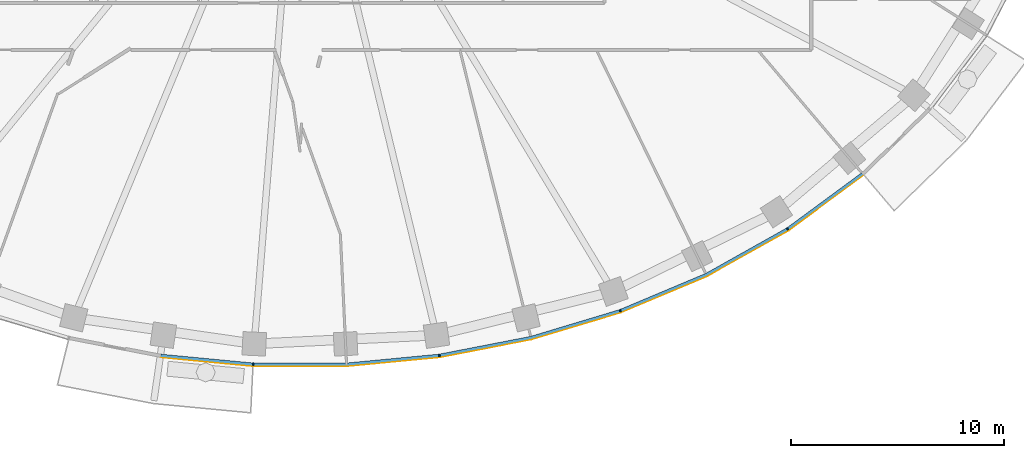
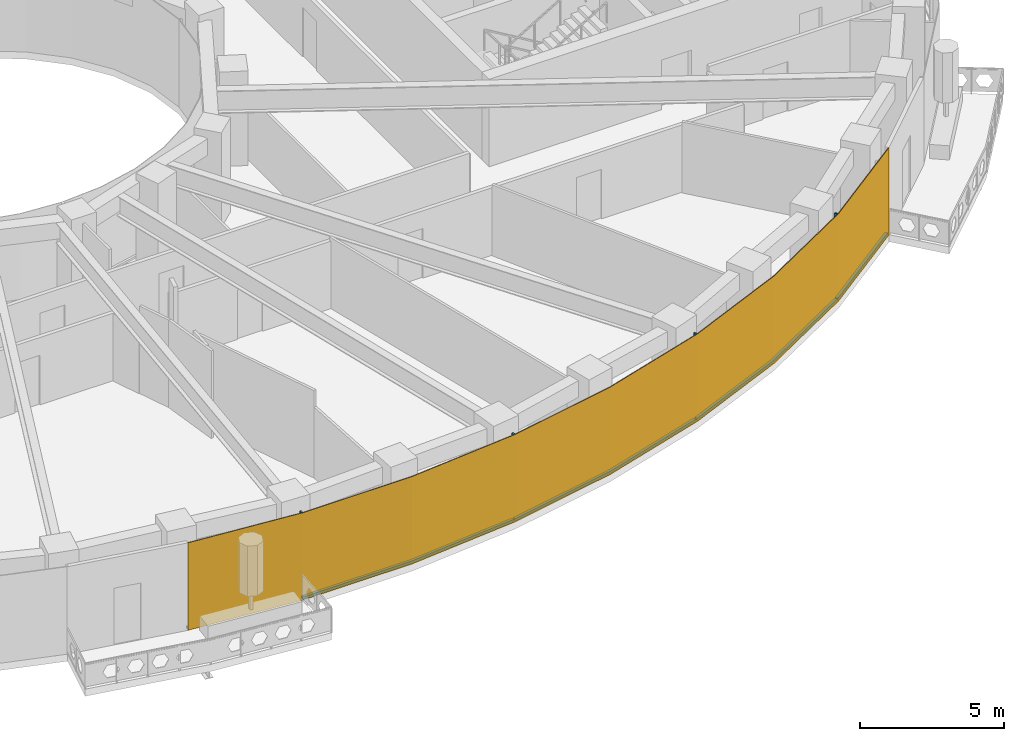
# One storey, part 9 of 16: 9 members, 1 curtain wall.
"""IFC4 building model written with IfcOpenShell, lengths in metres."""

import ifcopenshell
import ifcopenshell.guid

model = None  # the IFC model being written
_history = None  # IfcOwnerHistory: only IFC2X3 demands one
_inside = {}  # id of a spatial element -> (the spatial element, [elements in it])
_under = {}  # id of a project, library or spatial element -> (it, [spatial elements below it])
_declared = {}  # id of a project -> (the project, [libraries it declares])
_typed = {}  # id of a type object -> (the type object, [elements of that type])
_made_of = {}  # id of a material, layer set ... -> (it, [elements and type objects made of it])


def new_model(schema):
    """Start an empty IFC model of exactly this schema.

    Asked for "IFC4X3", IfcOpenShell would pick the latest addendum, in which some entities
    have other attributes; the version numbers below select the first issue.
    IFC2X3 requires an IfcOwnerHistory on every rooted entity: one is made here for all.
    """
    global model, _history
    if schema == "IFC4X3":
        model = ifcopenshell.file(schema_version=(4, 3, 0, 0))
    else:
        model = ifcopenshell.file(schema=schema)
    _inside.clear()
    _under.clear()
    _declared.clear()
    _typed.clear()
    _made_of.clear()
    _history = None
    if model.schema == "IFC2X3":
        org = make("IfcOrganization", Name="unknown")
        user = make(
            "IfcPersonAndOrganization",
            ThePerson=make("IfcPerson", FamilyName="unknown"),
            TheOrganization=org,
        )
        app = make(
            "IfcApplication",
            ApplicationDeveloper=org,
            Version="unknown",
            ApplicationFullName="unknown",
            ApplicationIdentifier="unknown",
        )
        _history = make(
            "IfcOwnerHistory",
            OwningUser=user,
            OwningApplication=app,
            ChangeAction="ADDED",
            CreationDate=0,
        )
    return model


def make(cls, **values):
    """One entity of the class cls with the attributes given. An attribute that is None is left unset."""
    return model.create_entity(
        cls, **{name: value for name, value in values.items() if value is not None}
    )


def rooted(cls, **values):
    """An entity with a GlobalId (a new one), such as an element, a storey or a relation."""
    return make(cls, GlobalId=ifcopenshell.guid.new(), OwnerHistory=_history, **values)


def si_unit(unit_type, name, prefix=None):
    """IfcSIUnit, for example si_unit("LENGTHUNIT", "METRE", prefix="MILLI")."""
    return make("IfcSIUnit", UnitType=unit_type, Prefix=prefix, Name=name)


def assignment(units):
    """IfcUnitAssignment: the units of a project."""
    return None if units is None else make("IfcUnitAssignment", Units=units)


def point(xyz):
    """IfcCartesianPoint."""
    return None if xyz is None else make("IfcCartesianPoint", Coordinates=xyz)


def direction(xyz):
    """IfcDirection."""
    return None if xyz is None else make("IfcDirection", DirectionRatios=xyz)


def frame(location, z_axis=None, x_axis=None):
    """IfcAxis2Placement3D, a coordinate frame: its origin and axes. An axis left out is left unset."""
    return make(
        "IfcAxis2Placement3D",
        Location=point(location),
        Axis=direction(z_axis),
        RefDirection=direction(x_axis),
    )


def frame_2d(location, x_axis=None):
    """IfcAxis2Placement2D, a coordinate frame in the plane: its origin and x axis."""
    return make(
        "IfcAxis2Placement2D", Location=point(location), RefDirection=direction(x_axis)
    )


def origin():
    """The frame at (0, 0, 0) with its axes left unset."""
    return frame((0.0, 0.0, 0.0))


def origin_2d():
    """The frame at (0, 0) in the plane with its x axis left unset."""
    return frame_2d((0.0, 0.0))


def place(relative_to, where):
    """IfcLocalPlacement: puts the frame where relative to a parent placement (None: the world)."""
    return make(
        "IfcLocalPlacement", PlacementRelTo=relative_to, RelativePlacement=where
    )


def context(
    kind, dimensions, precision=None, world=None, true_north=None, identifier=None
):
    """IfcGeometricRepresentationContext, for example the 3D "Model" context."""
    return make(
        "IfcGeometricRepresentationContext",
        ContextIdentifier=identifier,
        ContextType=kind,
        CoordinateSpaceDimension=dimensions,
        Precision=precision,
        WorldCoordinateSystem=world,
        TrueNorth=true_north,
    )


def subcontext(parent, identifier, kind, view, scale=None):
    """IfcGeometricRepresentationSubContext, for example "Body" below "Model"."""
    return make(
        "IfcGeometricRepresentationSubContext",
        ContextIdentifier=identifier,
        ContextType=kind,
        ParentContext=parent,
        TargetScale=scale,
        TargetView=view,
    )


def project(units=None, contexts=None):
    """IfcProject with its units and contexts."""
    return rooted(
        "IfcProject",
        Name="project",
        RepresentationContexts=contexts,
        UnitsInContext=assignment(units),
    )


def spatial(cls, under=None, at=None, **own):
    """A site, building, storey or space (cls), placed at a placement, below another one or the project."""
    s = rooted(cls, ObjectPlacement=at, **own)
    if under is not None:
        _under.setdefault(under.id(), (under, []))[1].append(s)
    return s


def polyline(points):
    """IfcPolyline through the points."""
    return make("IfcPolyline", Points=[point(p) for p in points])


def profile(cls, at=None, kind="AREA", **sizes):
    """A parametric profile (cls). Its sizes go by their IFC names, for example OverallWidth=200.0."""
    return make(cls, ProfileType=kind, Position=at, **sizes)


def rectangle(**sizes):
    """IfcRectangleProfileDef."""
    return profile("IfcRectangleProfileDef", **sizes)


def outline(outer, holes=None, kind="AREA"):
    """IfcArbitraryClosedProfileDef: a profile drawn as a closed curve; with holes, ...WithVoids."""
    if holes is None:
        return make("IfcArbitraryClosedProfileDef", ProfileType=kind, OuterCurve=outer)
    return make(
        "IfcArbitraryProfileDefWithVoids",
        ProfileType=kind,
        OuterCurve=outer,
        InnerCurves=holes,
    )


def extrude(swept, where, along, depth):
    """IfcExtrudedAreaSolid: the profile swept, set in the frame where, extruded along a direction by depth."""
    return make(
        "IfcExtrudedAreaSolid",
        SweptArea=swept,
        Position=where,
        ExtrudedDirection=direction(along),
        Depth=depth,
    )


def shape(context_of_items, identifier, shape_type, items):
    """IfcShapeRepresentation: the items that make up one representation, for example the "Body"."""
    return make(
        "IfcShapeRepresentation",
        ContextOfItems=context_of_items,
        RepresentationIdentifier=identifier,
        RepresentationType=shape_type,
        Items=items,
    )


def material(Name=None, Category=None):
    """IfcMaterial."""
    return make("IfcMaterial", Name=Name, Category=Category)


def layer(
    of_material, thickness, ventilated=None, Name=None, Category=None, Priority=None
):
    """IfcMaterialLayer: one layer of a wall or slab, of a material (None: an air gap)."""
    return make(
        "IfcMaterialLayer",
        Material=of_material,
        LayerThickness=thickness,
        IsVentilated=ventilated,
        Name=Name,
        Category=Category,
        Priority=Priority,
    )


def layer_set(layers, Name=None):
    """IfcMaterialLayerSet."""
    return make("IfcMaterialLayerSet", MaterialLayers=layers, LayerSetName=Name)


def material_profile(
    of_material, cross_section, Name=None, Category=None, Priority=None
):
    """IfcMaterialProfile: a cross section and its material."""
    return make(
        "IfcMaterialProfile",
        Name=Name,
        Material=of_material,
        Profile=cross_section,
        Priority=Priority,
        Category=Category,
    )


def profile_set(profiles, Name=None, composite=None):
    """IfcMaterialProfileSet."""
    return make(
        "IfcMaterialProfileSet",
        Name=Name,
        MaterialProfiles=profiles,
        CompositeProfile=composite,
    )


def made_of(thing, what):
    """Note that an element or type object is made of a material, layer set ...; save() writes the relation."""
    if what is not None:
        _made_of.setdefault(what.id(), (what, []))[1].append(thing)
    return thing


def type_object(cls, material=None, **own):
    """A type object (cls), such as IfcWallType, which elements share."""
    return made_of(rooted(cls, **own), material)


def element(
    cls,
    number,
    at=None,
    inside=None,
    cuts=None,
    type_object=None,
    material=None,
    context=None,
    identifier="Body",
    shape_type=None,
    held_by="IfcProductDefinitionShape",
    body=None,
    shapes=None,
    **own,
):
    """One element of the class cls, such as IfcWall. Its Tag is "e" and its number.

    at: its placement. inside: the storey or other place that contains it. cuts: it is an
    opening in that element (IfcRelVoidsElement). A single representation is given by context,
    identifier, shape_type and body (its items); several are given by shapes. held_by: the class
    of the entity that holds the representations. save() writes the other relations.
    """
    e = rooted(cls, Tag="e%d" % number, ObjectPlacement=at, **own)
    if body is not None:
        shapes = [shape(context, identifier, shape_type, body)]
    if shapes is not None:
        e.Representation = make(held_by, Representations=shapes)
    if inside is not None:
        _inside.setdefault(inside.id(), (inside, []))[1].append(e)
    if cuts is not None:
        rooted(
            "IfcRelVoidsElement", RelatingBuildingElement=cuts, RelatedOpeningElement=e
        )
    if type_object is not None:
        _typed.setdefault(type_object.id(), (type_object, []))[1].append(e)
    return made_of(e, material)


def aggregate(whole, parts):
    """IfcRelAggregates: a whole, such as a stair, and the parts it consists of."""
    return rooted("IfcRelAggregates", RelatingObject=whole, RelatedObjects=parts)


def save(model, path):
    """Write the relations noted so far, then the file.

    IfcRelAggregates (storeys below a building ...), IfcRelContainedInSpatialStructure (elements
    in a storey), IfcRelDefinesByType, IfcRelAssociatesMaterial and IfcRelDeclares: one each for
    every whole, place, type object, material and project.
    """
    for whole, parts in _under.values():
        aggregate(whole, parts)
    for where, things in _inside.values():
        rooted(
            "IfcRelContainedInSpatialStructure",
            RelatedElements=things,
            RelatingStructure=where,
        )
    for kind, things in _typed.values():
        rooted("IfcRelDefinesByType", RelatedObjects=things, RelatingType=kind)
    for what, things in _made_of.values():
        rooted("IfcRelAssociatesMaterial", RelatedObjects=things, RelatingMaterial=what)
    for by, libraries in _declared.values():
        rooted("IfcRelDeclares", RelatingContext=by, RelatedDefinitions=libraries)
    model.write(path)


model = new_model("IFC4")

# Units and contexts
model_context = context("Model", 3, precision=1e-05, world=origin(), true_north=direction((0.0, 1.0)))
body_context = subcontext(model_context, "Body", "Model", "MODEL_VIEW")
ifc_project = project(units=[si_unit("LENGTHUNIT", "METRE"), si_unit("AREAUNIT", "SQUARE_METRE"), si_unit("VOLUMEUNIT", "CUBIC_METRE"), si_unit("PLANEANGLEUNIT", "RADIAN"), si_unit("MASSUNIT", "GRAM", prefix="KILO")], contexts=[model_context])

# Member
ifc_material_1 = material(Name="Aluminium 6063-T6 black anodised", Category="aluminium")
ifc_material_profile = material_profile(ifc_material_1, rectangle(XDim=0.1201171875, YDim=0.06005859375, at=origin_2d()), Name="120x60")
ifc_profile_set = profile_set([ifc_material_profile], Name="Aluminium 6063-T6 black anodised")
member_type_1 = type_object("IfcMemberType", Name="ENV-MULLION-A-120", PredefinedType="MULLION", material=ifc_profile_set)
site_placement = place(None, origin())
building_placement = place(site_placement, origin())
storey_placement = place(building_placement, frame((0.0, 0.0, 237.5)))
member_1_placement = place(storey_placement, frame((-2.188720703125, -27.856201171875, 0.0), z_axis=(0.0, 0.0, 1.0), x_axis=(0.047557873581, 0.998868484166, 0.0)))
member_1 = element("IfcMember", 1, at=member_1_placement, type_object=member_type_1, Name="Mullion A radial 35", PredefinedType="MULLION", context=body_context, shape_type="SweptSolid", body=[
    extrude(rectangle(XDim=0.1201171875, YDim=0.06005859375, at=origin_2d()), origin(), (0.0, 0.0, 1.0), 3.699951171875),
])

member_2_placement = place(storey_placement, frame((6.54638671875, -27.440185546875, 0.0), z_axis=(0.0, 0.0, 1.0), x_axis=(-0.143082012705, 0.989710835366, 0.0)))
member_2 = element("IfcMember", 2, at=member_2_placement, type_object=member_type_1, Name="Mullion A radial 37", PredefinedType="MULLION", context=body_context, shape_type="SweptSolid", body=[
    extrude(rectangle(XDim=0.1201171875, YDim=0.06005859375, at=origin_2d()), origin(), (0.0, 0.0, 1.0), 3.699951171875),
])

member_3_placement = place(storey_placement, frame((15.0341796875, -25.34375, 0.0), z_axis=(0.0, 0.0, 1.0), x_axis=(-0.338379256581, 0.941009818608, 0.0)))
member_3 = element("IfcMember", 3, at=member_3_placement, type_object=member_type_1, Name="Mullion A radial 39", PredefinedType="MULLION", context=body_context, shape_type="SweptSolid", body=[
    extrude(rectangle(XDim=0.1201171875, YDim=0.06005859375, at=origin_2d()), origin(), (0.0, 0.0, 1.0), 3.699951171875),
])

member_4_placement = place(storey_placement, frame((22.882568359375, -21.506591796875, 0.0), z_axis=(0.0, 0.0, 1.0), x_axis=(-0.542279153225, 0.840198381323, 0.0)))
member_4 = element("IfcMember", 4, at=member_4_placement, type_object=member_type_1, Name="Mullion A radial 41", PredefinedType="MULLION", context=body_context, shape_type="SweptSolid", body=[
    extrude(rectangle(XDim=0.1201171875, YDim=0.06005859375, at=origin_2d()), origin(), (0.0, 0.0, 1.0), 3.699951171875),
])

ifc_material_2 = material(Name="Aluminium 6063-T6 black anodised", Category="aluminium")
member_type_2 = type_object("IfcMemberType", Name="ENV-TRANSOM-A", PredefinedType="USERDEFINED", material=ifc_material_2)
member_5_placement = place(storey_placement, origin())
member_5 = element("IfcMember", 5, at=member_5_placement, type_object=member_type_2, Name="Transom A radial 34-35", ObjectType="TRANSOM", PredefinedType="USERDEFINED", context=body_context, shape_type="SweptSolid", body=[
    extrude(outline(polyline([(-6.53515625, -27.50146484375), (-2.219482421875, -27.913330078125), (-2.2138671875, -27.793212890625), (-6.51806640625, -27.382568359375), (-6.53515625, -27.50146484375)])), origin(), (0.0, 0.0, 1.0), 0.10009765625),
])

member_6_placement = place(storey_placement, origin())
member_6 = element("IfcMember", 6, at=member_6_placement, type_object=member_type_2, Name="Transom A radial 35-37", ObjectType="TRANSOM", PredefinedType="USERDEFINED", context=body_context, shape_type="SweptSolid", body=[
    extrude(outline(polyline([(-2.163818359375, -27.916015625), (2.191650390625, -27.916015625), (6.527099609375, -27.502197265625), (6.510009765625, -27.38330078125), (2.185791015625, -27.7958984375), (-2.157958984375, -27.7958984375), (-2.163818359375, -27.916015625)])), origin(), (0.0, 0.0, 1.0), 0.10009765625),
])

member_7_placement = place(storey_placement, origin())
member_7 = element("IfcMember", 7, at=member_7_placement, type_object=member_type_2, Name="Transom A radial 37-39", ObjectType="TRANSOM", PredefinedType="USERDEFINED", context=body_context, shape_type="SweptSolid", body=[
    extrude(outline(polyline([(6.58251953125, -27.494140625), (10.857666015625, -26.6630859375), (15.027587890625, -25.408203125), (14.987060546875, -25.295166015625), (10.828857421875, -26.54638671875), (6.5654296875, -27.375244140625), (6.58251953125, -27.494140625)])), origin(), (0.0, 0.0, 1.0), 0.10009765625),
])

member_8_placement = place(storey_placement, origin())
member_8 = element("IfcMember", 8, at=member_8_placement, type_object=member_type_2, Name="Transom A radial 39-41", ObjectType="TRANSOM", PredefinedType="USERDEFINED", context=body_context, shape_type="SweptSolid", body=[
    extrude(outline(polyline([(15.080322265625, -25.389404296875), (19.093994140625, -23.701416015625), (22.890625, -21.570556640625), (22.825439453125, -21.469482421875), (19.041259765625, -23.593505859375), (15.03955078125, -25.276123046875), (15.080322265625, -25.389404296875)])), origin(), (0.0, 0.0, 1.0), 0.10009765625),
])

member_9_placement = place(storey_placement, origin())
member_9 = element("IfcMember", 9, at=member_9_placement, type_object=member_type_2, Name="Transom A radial 41-42", ObjectType="TRANSOM", PredefinedType="USERDEFINED", context=body_context, shape_type="SweptSolid", body=[
    extrude(outline(polyline([(22.937744140625, -21.540283203125), (26.42626953125, -18.970703125), (26.348388671875, -18.87890625), (22.87255859375, -21.439208984375), (22.937744140625, -21.540283203125)])), origin(), (0.0, 0.0, 1.0), 0.10009765625),
])

# Site, building, storey
site = spatial("IfcSite", under=ifc_project, at=site_placement, CompositionType="ELEMENT")
building = spatial("IfcBuilding", under=site, at=building_placement, Name="Noorbagh Ring Tower", CompositionType="ELEMENT")
storey = spatial("IfcBuildingStorey", under=building, at=storey_placement, Name="L49", CompositionType="ELEMENT", Elevation=237.5)

# Curtain wall
ifc_material_3 = material(Name="Glass dark tinted laminated", Category="glass")
ifc_layer = layer(ifc_material_3, 0.031982421875)
ifc_layer_set = layer_set([ifc_layer], Name="Glass dark tinted laminated")
curtain_wall_type = type_object("IfcCurtainWallType", Name="ENV-CW-A", PredefinedType="NOTDEFINED", material=ifc_layer_set)
curtain_wall_placement = place(storey_placement, origin())
curtain_wall = element("IfcCurtainWall", 10, at=curtain_wall_placement, inside=storey, type_object=curtain_wall_type, Name="Curtain wall A R34", PredefinedType="NOTDEFINED", context=body_context, shape_type="SweptSolid", body=[
    extrude(outline(polyline([(-6.539794921875, -27.533203125), (-2.193115234375, -27.947998046875), (2.193115234375, -27.947998046875), (6.559814453125, -27.53125), (10.865234375, -26.6943359375), (15.065185546875, -25.430419921875), (19.108154296875, -23.730224609375), (22.9326171875, -21.583740234375), (26.447021484375, -18.9951171875), (26.42626953125, -18.970703125), (22.9150390625, -21.556884765625), (19.093994140625, -23.701416015625), (15.054443359375, -25.400146484375), (10.857666015625, -26.6630859375), (6.55517578125, -27.49951171875), (2.191650390625, -27.916015625), (-2.191650390625, -27.916015625), (-6.53515625, -27.50146484375), (-6.539794921875, -27.533203125)])), origin(), (0.0, 0.0, 1.0), 3.699951171875),
])

aggregate(curtain_wall, [member_1, member_2, member_3, member_4, member_5, member_6, member_7, member_8, member_9])

save(model, "model.ifc")
